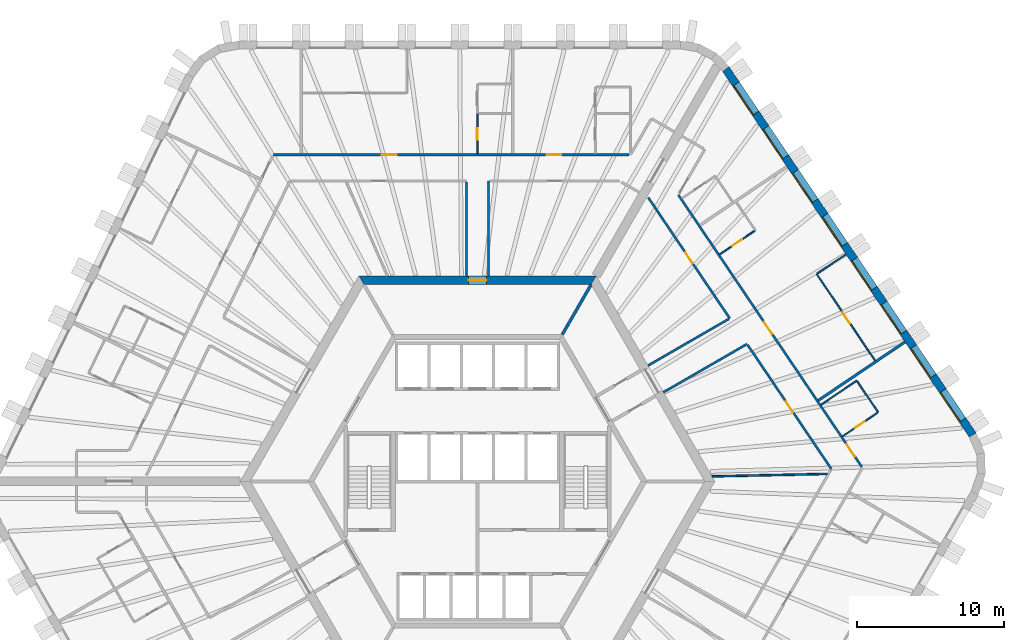
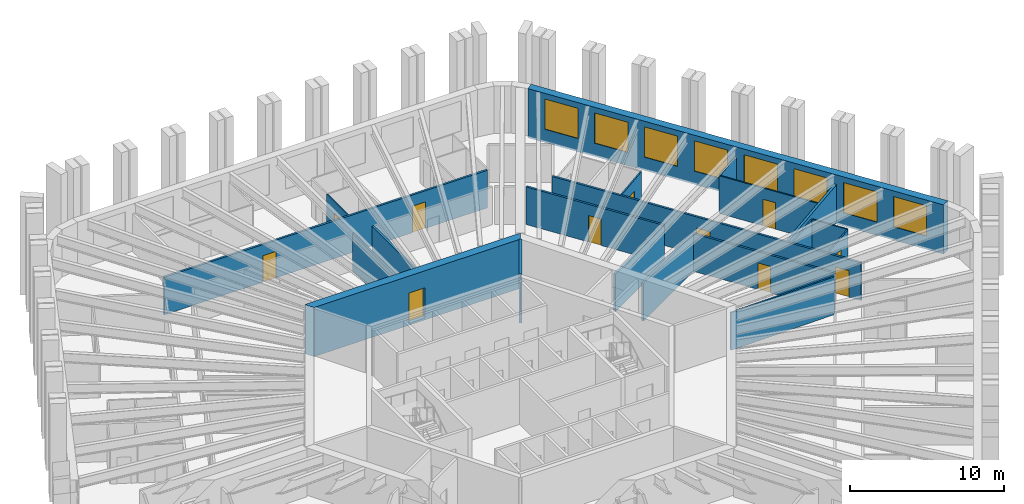
# One storey, part 9 of 13: 20 walls, 11 doors, 8 windows, 19 openings.
"""IFC4 building model written with IfcOpenShell, lengths in metres."""

from ifc_helpers import new_model, si_unit, direction, frame, frame_2d, origin, place, context, subcontext, project, spatial, polyline, rectangle, outline, extrude, material, layer, layer_set, type_object, element, fill, save


model = new_model("IFC4")

# Units and contexts
model_context = context("Model", 3, precision=1e-05, world=origin(), true_north=direction((0.0, 1.0)))
body_context = subcontext(model_context, "Body", "Model", "MODEL_VIEW")
ifc_project = project(units=[si_unit("LENGTHUNIT", "METRE"), si_unit("AREAUNIT", "SQUARE_METRE"), si_unit("VOLUMEUNIT", "CUBIC_METRE"), si_unit("PLANEANGLEUNIT", "RADIAN"), si_unit("MASSUNIT", "GRAM", prefix="KILO")], contexts=[model_context])

# Site, building, storey
site_placement = place(None, origin())
site = spatial("IfcSite", under=ifc_project, at=site_placement, CompositionType="ELEMENT")
building_placement = place(site_placement, origin())
building = spatial("IfcBuilding", under=site, at=building_placement, Name="Tarnside Tower", CompositionType="ELEMENT")
storey_placement = place(building_placement, frame((0.0, 0.0, 92.10009765625)))
storey = spatial("IfcBuildingStorey", under=building, at=storey_placement, Name="L20", CompositionType="ELEMENT", Elevation=92.10009765625)

# Wall, opening, door
ifc_material_1 = material(Name="Gypsum board partition on steel studs", Category="steel")
ifc_layer_1 = layer(ifc_material_1, 0.10009765625)
ifc_layer_set_1 = layer_set([ifc_layer_1], Name="Bathroom wall 100")
wall_type_1 = type_object("IfcWallType", Name="Bathroom wall 100", PredefinedType="PARTITIONING", material=ifc_layer_set_1)
wall_1_placement = place(storey_placement, frame((-0.010986328125, 22.324951171875, 0.0), z_axis=(0.0, 0.0, 1.0), x_axis=(0.0, 1.0, 0.0)))
wall_1 = element("IfcWall", 1, at=wall_1_placement, inside=storey, type_object=wall_type_1, Name="Bathroom wall 06085", PredefinedType="PARTITIONING", context=body_context, shape_type="SweptSolid", body=[
    extrude(rectangle(XDim=2.72509765625, YDim=0.10009765625, at=frame_2d((1.362548828125, 0.0))), origin(), (0.0, 0.0, 1.0), 2.98779296875),
])
opening_1_placement = place(wall_1_placement, frame((0.925048828125, 0.0, 0.0)))
opening_1 = element("IfcOpeningElement", 2, at=opening_1_placement, cuts=wall_1, Name="Opening D-B1", PredefinedType="OPENING", context=body_context, shape_type="SweptSolid", body=[
    extrude(rectangle(XDim=0.800048828125, YDim=2.10009765625, at=frame_2d((0.39990234375, 1.050048828125))), frame((0.0, 0.06005859375, 0.0), z_axis=(0.0, -1.0, 0.0), x_axis=(1.0, 0.0, 0.0)), (0.0, 0.0, 1.0), 0.1201171875),
])
ifc_material_2 = material(Name="Timber door leaf", Category="wood")
door_type_1 = type_object("IfcDoorType", Name="Bathroom door 800", OperationType="NOTDEFINED", PredefinedType="DOOR", material=ifc_material_2)
door_1_placement = place(opening_1_placement, origin())
door_1 = element("IfcDoor", 3, at=door_1_placement, inside=storey, type_object=door_type_1, Name="Bathroom door 06005", OperationType="SINGLE_SWING_RIGHT", OverallHeight=2.10009765625, OverallWidth=0.800048828125, PredefinedType="DOOR", context=body_context, shape_type="SweptSolid", body=[
    extrude(rectangle(XDim=0.800048828125, YDim=2.10009765625, at=frame_2d((0.39990234375, 1.050048828125))), frame((0.0, 0.02490234375, 0.0), z_axis=(0.0, -1.0, 0.0), x_axis=(1.0, 0.0, 0.0)), (0.0, 0.0, 1.0), 0.050048828125),
])
fill(opening_1, door_1)

# Walls
wall_2_placement = place(storey_placement, frame((23.407470703125, 5.220703125, 0.0), z_axis=(0.0, 0.0, 1.0), x_axis=(0.829007334469, 0.559237730663, 0.0)))
element("IfcWall", 4, at=wall_2_placement, inside=storey, type_object=wall_type_1, Name="Bathroom wall 06149", PredefinedType="PARTITIONING", context=body_context, shape_type="SweptSolid", body=[
    extrude(rectangle(XDim=2.925048828125, YDim=0.10009765625, at=frame_2d((1.46240234375, 0.0))), origin(), (0.0, 0.0, 1.0), 2.98779296875),
])
wall_3_placement = place(storey_placement, frame((25.8603515625, 6.81494140625, 0.0), z_axis=(0.0, 0.0, 1.0), x_axis=(0.559155442782, -0.829062838878, 0.0)))
element("IfcWall", 5, at=wall_3_placement, inside=storey, type_object=wall_type_1, Name="Bathroom wall 06150", PredefinedType="PARTITIONING", context=body_context, shape_type="SweptSolid", body=[
    extrude(rectangle(XDim=2.5498046875, YDim=0.10009765625, at=frame_2d((1.27490234375, 0.0))), origin(), (0.0, 0.0, 1.0), 2.98779296875),
])

# Wall, opening, door
wall_4_placement = place(storey_placement, frame((27.244873046875, 4.6728515625, 0.0), z_axis=(0.0, 0.0, 1.0), x_axis=(-0.82904649496, -0.559179675234, 0.0)))
wall_4 = element("IfcWall", 6, at=wall_4_placement, inside=storey, type_object=wall_type_1, Name="Bathroom wall 06151", PredefinedType="PARTITIONING", context=body_context, shape_type="SweptSolid", body=[
    extrude(rectangle(XDim=2.875, YDim=0.10009765625, at=frame_2d((1.4375, 0.0))), origin(), (0.0, 0.0, 1.0), 2.98779296875),
])
opening_2_placement = place(wall_4_placement, frame((1.050048828125, 0.0, 0.0)))
opening_2 = element("IfcOpeningElement", 7, at=opening_2_placement, cuts=wall_4, Name="Opening D-B1", PredefinedType="OPENING", context=body_context, shape_type="SweptSolid", body=[
    extrude(rectangle(XDim=0.800048828125, YDim=2.10009765625, at=frame_2d((0.39990234375, 1.050048828125))), frame((0.0, 0.06005859375, 0.0), z_axis=(0.0, -1.0, 0.0), x_axis=(1.0, 0.0, 0.0)), (0.0, 0.0, 1.0), 0.1201171875),
])
door_2_placement = place(opening_2_placement, origin())
door_2 = element("IfcDoor", 8, at=door_2_placement, inside=storey, type_object=door_type_1, Name="Bathroom door 06036", OperationType="SINGLE_SWING_LEFT", OverallHeight=2.10009765625, OverallWidth=0.800048828125, PredefinedType="DOOR", context=body_context, shape_type="SweptSolid", body=[
    extrude(rectangle(XDim=0.800048828125, YDim=2.10009765625, at=frame_2d((0.39990234375, 1.050048828125))), frame((0.0, 0.02490234375, 0.0), z_axis=(0.0, -1.0, 0.0), x_axis=(1.0, 0.0, 0.0)), (0.0, 0.0, 1.0), 0.050048828125),
])
fill(opening_2, door_2)

wall_5_placement = place(storey_placement, frame((18.884765625, 17.06689453125, 0.0), z_axis=(0.0, 0.0, 1.0), x_axis=(-0.829019940088, -0.55921904379, 0.0)))
wall_5 = element("IfcWall", 9, at=wall_5_placement, inside=storey, type_object=wall_type_1, Name="Bathroom wall 06155", PredefinedType="PARTITIONING", context=body_context, shape_type="SweptSolid", body=[
    extrude(rectangle(XDim=2.874755859375, YDim=0.10009765625, at=frame_2d((1.4375, 0.0))), origin(), (0.0, 0.0, 1.0), 2.98779296875),
])
opening_3_placement = place(wall_5_placement, frame((1.050048828125, 0.0, 0.0)))
opening_3 = element("IfcOpeningElement", 10, at=opening_3_placement, cuts=wall_5, Name="Opening D-B1", PredefinedType="OPENING", context=body_context, shape_type="SweptSolid", body=[
    extrude(rectangle(XDim=0.800048828125, YDim=2.10009765625, at=frame_2d((0.39990234375, 1.050048828125))), frame((0.0, 0.06005859375, 0.0), z_axis=(0.0, -1.0, 0.0), x_axis=(1.0, 0.0, 0.0)), (0.0, 0.0, 1.0), 0.1201171875),
])
door_3_placement = place(opening_3_placement, origin())
door_3 = element("IfcDoor", 11, at=door_3_placement, inside=storey, type_object=door_type_1, Name="Bathroom door 06038", OperationType="SINGLE_SWING_LEFT", OverallHeight=2.10009765625, OverallWidth=0.800048828125, PredefinedType="DOOR", context=body_context, shape_type="SweptSolid", body=[
    extrude(rectangle(XDim=0.800048828125, YDim=2.10009765625, at=frame_2d((0.39990234375, 1.050048828125))), frame((0.0, 0.02490234375, 0.0), z_axis=(0.0, -1.0, 0.0), x_axis=(1.0, 0.0, 0.0)), (0.0, 0.0, 1.0), 0.050048828125),
])
fill(opening_3, door_3)

ifc_material_3 = material(Name="Concrete C80/95", Category="concrete")
ifc_layer_2 = layer(ifc_material_3, 0.60009765625)
ifc_layer_set_2 = layer_set([ifc_layer_2], Name="Core wall Z1 600 C80/95")
wall_type_2 = type_object("IfcWallType", Name="Core wall Z1 600 C80/95", PredefinedType="SHEAR", material=ifc_layer_set_2)
wall_6_placement = place(storey_placement, frame((7.90966796875, 13.699951171875, -0.150146484375), z_axis=(0.0, 0.0, 1.0), x_axis=(-1.0, 0.0, 0.0)))
wall_6 = element("IfcWall", 12, at=wall_6_placement, inside=storey, type_object=wall_type_2, Name="L20 core wall face 1", PredefinedType="SHEAR", context=body_context, shape_type="SweptSolid", body=[
    extrude(outline(polyline([(-0.17333984375, -0.300048828125), (15.99267578125, -0.300048828125), (15.64599609375, 0.300048828125), (0.17333984375, 0.300048828125), (-0.17333984375, -0.300048828125)])), origin(), (0.0, 0.0, 1.0), 3.900146484375),
])
opening_4_placement = place(wall_6_placement, frame((7.309814453125, 0.0, 0.14990234375)))
opening_4 = element("IfcOpeningElement", 13, at=opening_4_placement, cuts=wall_6, Name="Opening CD-RSR", PredefinedType="OPENING", context=body_context, shape_type="SweptSolid", body=[
    extrude(rectangle(XDim=1.199951171875, YDim=2.39990234375, at=frame_2d((0.60009765625, 1.199951171875))), frame((0.0, 0.31005859375, 0.0), z_axis=(0.0, -1.0, 0.0), x_axis=(1.0, 0.0, 0.0)), (0.0, 0.0, 1.0), 0.6201171875),
])
ifc_material_4 = material(Name="Steel fire door", Category="steel")
door_type_2 = type_object("IfcDoorType", Name="Riser door FD60 1200x2400", OperationType="NOTDEFINED", PredefinedType="DOOR", material=ifc_material_4)
door_4_placement = place(opening_4_placement, origin())
door_4 = element("IfcDoor", 14, at=door_4_placement, inside=storey, type_object=door_type_2, Name="L20 core door S5", OperationType="SINGLE_SWING_LEFT", OverallHeight=2.39990234375, OverallWidth=1.199951171875, PredefinedType="DOOR", context=body_context, shape_type="SweptSolid", body=[
    extrude(rectangle(XDim=1.199951171875, YDim=2.39990234375, at=frame_2d((0.60009765625, 1.199951171875))), frame((0.0, 0.02490234375, 0.0), z_axis=(0.0, -1.0, 0.0), x_axis=(1.0, 0.0, 0.0)), (0.0, 0.0, 1.0), 0.050048828125),
])
fill(opening_4, door_4)

# Wall, openings, doors
ifc_layer_3 = layer(ifc_material_1, 0.14990234375)
ifc_layer_set_3 = layer_set([ifc_layer_3], Name="Corridor wall 150 EI 60")
wall_type_3 = type_object("IfcWallType", Name="Corridor wall 150 EI 60", PredefinedType="PARTITIONING", material=ifc_layer_set_3)
wall_7_placement = place(storey_placement, frame((10.33447265625, 22.25, 0.0), z_axis=(0.0, 0.0, 1.0), x_axis=(-1.0, 0.0, 0.0)))
wall_7 = element("IfcWall", 15, at=wall_7_placement, inside=storey, type_object=wall_type_3, Name="Corridor wall 06001", PredefinedType="PARTITIONING", context=body_context, shape_type="SweptSolid", body=[
    extrude(rectangle(XDim=24.23779296875, YDim=0.14990234375, at=frame_2d((12.118896484375, 0.0))), origin(), (0.0, 0.0, 1.0), 2.98779296875),
])
opening_5_placement = place(wall_7_placement, frame((4.62939453125, 0.0, 0.0)))
opening_5 = element("IfcOpeningElement", 16, at=opening_5_placement, cuts=wall_7, Name="Opening D-E1", PredefinedType="OPENING", context=body_context, shape_type="SweptSolid", body=[
    extrude(rectangle(XDim=1.0, YDim=2.10009765625, at=frame_2d((0.5, 1.050048828125))), frame((0.0, 0.0849609375, 0.0), z_axis=(0.0, -1.0, 0.0), x_axis=(1.0, 0.0, 0.0)), (0.0, 0.0, 1.0), 0.169921875),
])
opening_6_placement = place(wall_7_placement, frame((15.845703125, 0.0, 0.0)))
opening_6 = element("IfcOpeningElement", 17, at=opening_6_placement, cuts=wall_7, Name="Opening D-E1", PredefinedType="OPENING", context=body_context, shape_type="SweptSolid", body=[
    extrude(rectangle(XDim=1.0, YDim=2.10009765625, at=frame_2d((0.5, 1.050048828125))), frame((0.0, 0.0849609375, 0.0), z_axis=(0.0, -1.0, 0.0), x_axis=(1.0, 0.0, 0.0)), (0.0, 0.0, 1.0), 0.169921875),
])
door_type_3 = type_object("IfcDoorType", Name="Unit entrance door 1000 FD30S", OperationType="NOTDEFINED", PredefinedType="DOOR", material=ifc_material_2)
door_5_placement = place(opening_5_placement, origin())
door_5 = element("IfcDoor", 18, at=door_5_placement, inside=storey, type_object=door_type_3, Name="Unit door 06001", OperationType="SINGLE_SWING_LEFT", OverallHeight=2.10009765625, OverallWidth=1.0, PredefinedType="DOOR", context=body_context, shape_type="SweptSolid", body=[
    extrude(rectangle(XDim=1.0, YDim=2.10009765625, at=frame_2d((0.5, 1.050048828125))), frame((0.0, 0.02490234375, 0.0), z_axis=(0.0, -1.0, 0.0), x_axis=(1.0, 0.0, 0.0)), (0.0, 0.0, 1.0), 0.050048828125),
])
fill(opening_5, door_5)
door_6_placement = place(opening_6_placement, origin())
door_6 = element("IfcDoor", 19, at=door_6_placement, inside=storey, type_object=door_type_3, Name="Unit door 06004", OperationType="SINGLE_SWING_RIGHT", OverallHeight=2.10009765625, OverallWidth=1.0, PredefinedType="DOOR", context=body_context, shape_type="SweptSolid", body=[
    extrude(rectangle(XDim=1.0, YDim=2.10009765625, at=frame_2d((0.5, 1.050048828125))), frame((0.0, 0.02490234375, 0.0), z_axis=(0.0, -1.0, 0.0), x_axis=(1.0, 0.0, 0.0)), (0.0, 0.0, 1.0), 0.050048828125),
])
fill(opening_6, door_6)

# Walls
wall_8_placement = place(storey_placement, frame((-0.75, 20.375, 0.0), z_axis=(0.0, 0.0, 1.0), x_axis=(0.0, -1.0, 0.0)))
element("IfcWall", 20, at=wall_8_placement, inside=storey, type_object=wall_type_3, Name="Corridor wall 06016", PredefinedType="PARTITIONING", context=body_context, shape_type="SweptSolid", body=[
    extrude(rectangle(XDim=6.375, YDim=0.14990234375, at=frame_2d((3.1875, 0.0))), origin(), (0.0, 0.0, 1.0), 2.98779296875),
])
wall_9_placement = place(storey_placement, frame((0.75, 14.0, 0.0), z_axis=(0.0, 0.0, 1.0), x_axis=(0.0, 1.0, 0.0)))
element("IfcWall", 21, at=wall_9_placement, inside=storey, type_object=wall_type_3, Name="Corridor wall 06020", PredefinedType="PARTITIONING", context=body_context, shape_type="SweptSolid", body=[
    extrude(rectangle(XDim=6.449951171875, YDim=0.14990234375, at=frame_2d((3.22509765625, 0.0))), origin(), (0.0, 0.0, 1.0), 2.98779296875),
])

# Wall, openings, doors
wall_10_placement = place(storey_placement, frame((26.174072265625, 0.98486328125, 0.0), z_axis=(0.0, 0.0, 1.0), x_axis=(-0.559199676409, 0.82903300411, 0.0)))
wall_10 = element("IfcWall", 22, at=wall_10_placement, inside=storey, type_object=wall_type_3, Name="Corridor wall 06056", PredefinedType="PARTITIONING", context=body_context, shape_type="SweptSolid", body=[
    extrude(rectangle(XDim=22.33544921875, YDim=0.14990234375, at=frame_2d((11.167724609375, 0.0))), origin(), (0.0, 0.0, 1.0), 2.98779296875),
])
opening_7_placement = place(wall_10_placement, frame((0.86279296875, 0.0, 0.0)))
opening_7 = element("IfcOpeningElement", 23, at=opening_7_placement, cuts=wall_10, Name="Opening D-E1", PredefinedType="OPENING", context=body_context, shape_type="SweptSolid", body=[
    extrude(rectangle(XDim=1.0, YDim=2.10009765625, at=frame_2d((0.5, 1.050048828125))), frame((0.0, 0.0849609375, 0.0), z_axis=(0.0, -1.0, 0.0), x_axis=(1.0, 0.0, 0.0)), (0.0, 0.0, 1.0), 0.169921875),
])
opening_8_placement = place(wall_10_placement, frame((10.90869140625, 0.0, 0.0)))
opening_8 = element("IfcOpeningElement", 24, at=opening_8_placement, cuts=wall_10, Name="Opening D-E1", PredefinedType="OPENING", context=body_context, shape_type="SweptSolid", body=[
    extrude(rectangle(XDim=1.0, YDim=2.10009765625, at=frame_2d((0.5, 1.050048828125))), frame((0.0, 0.0849609375, 0.0), z_axis=(0.0, -1.0, 0.0), x_axis=(1.0, 0.0, 0.0)), (0.0, 0.0, 1.0), 0.169921875),
])
door_7_placement = place(opening_7_placement, origin())
door_7 = element("IfcDoor", 25, at=door_7_placement, inside=storey, type_object=door_type_3, Name="Unit door 06035", OperationType="SINGLE_SWING_RIGHT", OverallHeight=2.10009765625, OverallWidth=1.0, PredefinedType="DOOR", context=body_context, shape_type="SweptSolid", body=[
    extrude(rectangle(XDim=1.0, YDim=2.10009765625, at=frame_2d((0.5, 1.050048828125))), frame((0.0, 0.02490234375, 0.0), z_axis=(0.0, -1.0, 0.0), x_axis=(1.0, 0.0, 0.0)), (0.0, 0.0, 1.0), 0.050048828125),
])
fill(opening_7, door_7)
door_8_placement = place(opening_8_placement, origin())
door_8 = element("IfcDoor", 26, at=door_8_placement, inside=storey, type_object=door_type_3, Name="Unit door 06037", OperationType="SINGLE_SWING_RIGHT", OverallHeight=2.10009765625, OverallWidth=1.0, PredefinedType="DOOR", context=body_context, shape_type="SweptSolid", body=[
    extrude(rectangle(XDim=1.0, YDim=2.10009765625, at=frame_2d((0.5, 1.050048828125))), frame((0.0, 0.02490234375, 0.0), z_axis=(0.0, -1.0, 0.0), x_axis=(1.0, 0.0, 0.0)), (0.0, 0.0, 1.0), 0.050048828125),
])
fill(opening_8, door_8)

# Wall
wall_11_placement = place(storey_placement, frame((12.663818359375, 6.065673828125, 0.0), z_axis=(0.0, 0.0, 1.0), x_axis=(0.866027295802, 0.499996722915, 0.0)))
element("IfcWall", 27, at=wall_11_placement, inside=storey, type_object=wall_type_3, Name="Corridor wall 06068", PredefinedType="PARTITIONING", context=body_context, shape_type="SweptSolid", body=[
    extrude(rectangle(XDim=6.5751953125, YDim=0.14990234375, at=frame_2d((3.28759765625, 0.0))), origin(), (0.0, 0.0, 1.0), 2.98779296875),
])

# Wall, opening, door
wall_12_placement = place(storey_placement, frame((18.400390625, 9.291015625, 0.0), z_axis=(0.0, 0.0, 1.0), x_axis=(0.559191829043, -0.829038297265, 0.0)))
wall_12 = element("IfcWall", 28, at=wall_12_placement, inside=storey, type_object=wall_type_3, Name="Corridor wall 06069", PredefinedType="PARTITIONING", context=body_context, shape_type="SweptSolid", body=[
    extrude(rectangle(XDim=10.19189453125, YDim=0.14990234375, at=frame_2d((5.095947265625, 0.0))), origin(), (0.0, 0.0, 1.0), 2.98779296875),
])
opening_9_placement = place(wall_12_placement, frame((4.64599609375, 0.0, 0.0)))
opening_9 = element("IfcOpeningElement", 29, at=opening_9_placement, cuts=wall_12, Name="Opening D-S1", PredefinedType="OPENING", context=body_context, shape_type="SweptSolid", body=[
    extrude(rectangle(XDim=0.89990234375, YDim=2.10009765625, at=frame_2d((0.449951171875, 1.050048828125))), frame((0.0, 0.0849609375, 0.0), z_axis=(0.0, -1.0, 0.0), x_axis=(1.0, 0.0, 0.0)), (0.0, 0.0, 1.0), 0.169921875),
])
door_type_4 = type_object("IfcDoorType", Name="Service room door 900 FD30S", OperationType="NOTDEFINED", PredefinedType="DOOR", material=ifc_material_2)
door_9_placement = place(opening_9_placement, origin())
door_9 = element("IfcDoor", 30, at=door_9_placement, inside=storey, type_object=door_type_4, Name="Service door 06051", OperationType="SINGLE_SWING_RIGHT", OverallHeight=2.10009765625, OverallWidth=0.89990234375, PredefinedType="DOOR", context=body_context, shape_type="SweptSolid", body=[
    extrude(rectangle(XDim=0.89990234375, YDim=2.10009765625, at=frame_2d((0.449951171875, 1.050048828125))), frame((0.0, 0.02490234375, 0.0), z_axis=(0.0, -1.0, 0.0), x_axis=(1.0, 0.0, 0.0)), (0.0, 0.0, 1.0), 0.050048828125),
])
fill(opening_9, door_9)

wall_13_placement = place(storey_placement, frame((11.631591796875, 19.326171875, 0.0), z_axis=(0.0, 0.0, 1.0), x_axis=(0.559193968377, -0.829036854266, 0.0)))
wall_13 = element("IfcWall", 31, at=wall_13_placement, inside=storey, type_object=wall_type_3, Name="Corridor wall 06074", PredefinedType="PARTITIONING", context=body_context, shape_type="SweptSolid", body=[
    extrude(rectangle(XDim=9.92431640625, YDim=0.14990234375, at=frame_2d((4.962158203125, 0.0))), origin(), (0.0, 0.0, 1.0), 2.98779296875),
])
opening_10_placement = place(wall_13_placement, frame((4.51220703125, 0.0, 0.0)))
opening_10 = element("IfcOpeningElement", 32, at=opening_10_placement, cuts=wall_13, Name="Opening D-S1", PredefinedType="OPENING", context=body_context, shape_type="SweptSolid", body=[
    extrude(rectangle(XDim=0.89990234375, YDim=2.10009765625, at=frame_2d((0.449951171875, 1.050048828125))), frame((0.0, 0.0849609375, 0.0), z_axis=(0.0, -1.0, 0.0), x_axis=(1.0, 0.0, 0.0)), (0.0, 0.0, 1.0), 0.169921875),
])
door_10_placement = place(opening_10_placement, origin())
door_10 = element("IfcDoor", 33, at=door_10_placement, inside=storey, type_object=door_type_4, Name="Service door 06053", OperationType="SINGLE_SWING_LEFT", OverallHeight=2.10009765625, OverallWidth=0.89990234375, PredefinedType="DOOR", context=body_context, shape_type="SweptSolid", body=[
    extrude(rectangle(XDim=0.89990234375, YDim=2.10009765625, at=frame_2d((0.449951171875, 1.050048828125))), frame((0.0, 0.02490234375, 0.0), z_axis=(0.0, -1.0, 0.0), x_axis=(1.0, 0.0, 0.0)), (0.0, 0.0, 1.0), 0.050048828125),
])
fill(opening_10, door_10)

# Walls
wall_14_placement = place(storey_placement, frame((17.115966796875, 11.06103515625, 0.0), z_axis=(0.0, 0.0, 1.0), x_axis=(-0.866021127751, -0.500007406234, 0.0)))
element("IfcWall", 34, at=wall_14_placement, inside=storey, type_object=wall_type_3, Name="Corridor wall 06075", PredefinedType="PARTITIONING", context=body_context, shape_type="SweptSolid", body=[
    extrude(rectangle(XDim=6.353515625, YDim=0.14990234375, at=frame_2d((3.1767578125, 0.0))), origin(), (0.0, 0.0, 1.0), 2.98779296875),
])
ifc_layer_4 = layer(ifc_material_1, 0.179931640625)
ifc_layer_set_4 = layer_set([ifc_layer_4], Name="Demising wall 180 EI 60")
wall_type_4 = type_object("IfcWallType", Name="Demising wall 180 EI 60", PredefinedType="PARTITIONING", material=ifc_layer_set_4)
wall_15_placement = place(storey_placement, frame((29.11865234375, 9.4951171875, 0.0), z_axis=(0.0, 0.0, 1.0), x_axis=(-0.82903334026, -0.559199178055, 0.0)))
element("IfcWall", 35, at=wall_15_placement, inside=storey, type_object=wall_type_4, Name="Demising wall 06152", PredefinedType="PARTITIONING", context=body_context, shape_type="SweptSolid", body=[
    extrude(rectangle(XDim=7.125244140625, YDim=0.179931640625, at=frame_2d((3.5625, 0.0))), origin(), (0.0, 0.0, 1.0), 2.98779296875),
])
ifc_material_5 = material(Name="Concrete C40/50", Category="concrete")
ifc_layer_5 = layer(ifc_material_5, 0.199951171875)
ifc_layer_set_5 = layer_set([ifc_layer_5], Name="Lift shaft wall 200 C40/50")
wall_type_5 = type_object("IfcWallType", Name="Lift shaft wall 200 C40/50", PredefinedType="SHEAR", material=ifc_layer_set_5)
wall_16_placement = place(storey_placement, frame((5.7734375, 10.0, -0.150146484375), z_axis=(0.0, 0.0, 1.0), x_axis=(0.500038251005, 0.86600331843, 0.0)))
element("IfcWall", 36, at=wall_16_placement, inside=storey, type_object=wall_type_5, Name="L20 core partition AR60", PredefinedType="SHEAR", context=body_context, shape_type="SweptSolid", body=[
    extrude(rectangle(XDim=3.926025390625, YDim=0.199951171875, at=frame_2d((1.962890625, 0.0))), origin(), (0.0, 0.0, 1.0), 3.900146484375),
])

# Wall, opening, door
ifc_layer_6 = layer(ifc_material_1, 0.10009765625)
ifc_layer_set_6 = layer_set([ifc_layer_6], Name="Partition 100")
wall_type_6 = type_object("IfcWallType", Name="Partition 100", PredefinedType="PARTITIONING", material=ifc_layer_set_6)
wall_17_placement = place(storey_placement, frame((27.07861328125, 8.227783203125, 0.0), z_axis=(0.0, 0.0, 1.0), x_axis=(-0.559200948469, 0.829032146078, 0.0)))
wall_17 = element("IfcWall", 37, at=wall_17_placement, inside=storey, type_object=wall_type_6, Name="Partition wall 06156", PredefinedType="PARTITIONING", context=body_context, shape_type="SweptSolid", body=[
    extrude(rectangle(XDim=7.10986328125, YDim=0.10009765625, at=frame_2d((3.554931640625, 0.0))), origin(), (0.0, 0.0, 1.0), 2.98779296875),
])
opening_11_placement = place(wall_17_placement, frame((3.06005859375, 0.0, 0.0)))
opening_11 = element("IfcOpeningElement", 38, at=opening_11_placement, cuts=wall_17, Name="Opening D-I1", PredefinedType="OPENING", context=body_context, shape_type="SweptSolid", body=[
    extrude(rectangle(XDim=0.89990234375, YDim=2.10009765625, at=frame_2d((0.449951171875, 1.050048828125))), frame((0.0, 0.06005859375, 0.0), z_axis=(0.0, -1.0, 0.0), x_axis=(1.0, 0.0, 0.0)), (0.0, 0.0, 1.0), 0.1201171875),
])
door_type_5 = type_object("IfcDoorType", Name="Internal door 900", OperationType="NOTDEFINED", PredefinedType="DOOR", material=ifc_material_2)
door_11_placement = place(opening_11_placement, origin())
door_11 = element("IfcDoor", 39, at=door_11_placement, inside=storey, type_object=door_type_5, Name="Internal door 06039", OperationType="SINGLE_SWING_RIGHT", OverallHeight=2.10009765625, OverallWidth=0.89990234375, PredefinedType="DOOR", context=body_context, shape_type="SweptSolid", body=[
    extrude(rectangle(XDim=0.89990234375, YDim=2.10009765625, at=frame_2d((0.449951171875, 1.050048828125))), frame((0.0, 0.02490234375, 0.0), z_axis=(0.0, -1.0, 0.0), x_axis=(1.0, 0.0, 0.0)), (0.0, 0.0, 1.0), 0.050048828125),
])
fill(opening_11, door_11)

# Walls
wall_18_placement = place(storey_placement, frame((23.14404296875, 14.150146484375, 0.0), z_axis=(0.0, 0.0, 1.0), x_axis=(0.829065408555, 0.559151632687, 0.0)))
element("IfcWall", 40, at=wall_18_placement, inside=storey, type_object=wall_type_6, Name="Partition wall 06157", PredefinedType="PARTITIONING", context=body_context, shape_type="SweptSolid", body=[
    extrude(rectangle(XDim=2.349853515625, YDim=0.10009765625, at=frame_2d((1.1748046875, 0.0))), origin(), (0.0, 0.0, 1.0), 2.98779296875),
])
ifc_layer_7 = layer(ifc_material_1, 0.1201171875)
ifc_layer_set_7 = layer_set([ifc_layer_7], Name="Service room wall 120 EI 60")
wall_type_7 = type_object("IfcWallType", Name="Service room wall 120 EI 60", PredefinedType="PARTITIONING", material=ifc_layer_set_7)
wall_19_placement = place(storey_placement, frame((23.81787109375, 0.50390625, 0.0), z_axis=(0.0, 0.0, 1.0), x_axis=(-0.999776284395, -0.021151386765, 0.0)))
element("IfcWall", 41, at=wall_19_placement, inside=storey, type_object=wall_type_7, Name="Service wall 06165", PredefinedType="PARTITIONING", context=body_context, shape_type="SweptSolid", body=[
    extrude(rectangle(XDim=7.848876953125, YDim=0.1201171875, at=frame_2d((3.92431640625, 0.0))), origin(), (0.0, 0.0, 1.0), 2.98779296875),
])

# Wall, openings, windows
ifc_material_6 = material(Name="Facing brick", Category="masonry")
ifc_layer_8 = layer(ifc_material_6, 0.10205078125)
ifc_material_7 = material(Name="Concrete C60/75 precast", Category="concrete")
ifc_layer_9 = layer(ifc_material_7, 0.347900390625)
ifc_material_8 = material(Name="Mineral wool insulation")
ifc_layer_10 = layer(ifc_material_8, 0.10009765625)
ifc_layer_set_8 = layer_set([ifc_layer_8, ifc_layer_9, ifc_layer_10], Name="Tube wall 550 brick faced")
wall_type_8 = type_object("IfcWallType", Name="Tube wall 550 brick faced", PredefinedType="SOLIDWALL", material=ifc_layer_set_8)
wall_20_placement = place(storey_placement, frame((33.72802734375, 3.153076171875, -0.150146484375), z_axis=(0.0, 0.0, 1.0), x_axis=(-0.559192411416, 0.82903790445, 0.0)))
wall_20 = element("IfcWall", 42, at=wall_20_placement, inside=storey, type_object=wall_type_8, Name="Tube wall L20 F6 flush 20", PredefinedType="SOLIDWALL", context=body_context, shape_type="SweptSolid", body=[
    extrude(outline(polyline([(-0.025634765625, -0.27490234375), (30.09326171875, -0.27490234375), (30.04833984375, 0.27490234375), (0.025634765625, 0.27490234375), (-0.025634765625, -0.27490234375)])), origin(), (0.0, 0.0, 1.0), 3.900146484375),
])
opening_12_placement = place(wall_20_placement, frame((1.235595703125, 0.0, 1.050048828125)))
opening_12 = element("IfcOpeningElement", 43, at=opening_12_placement, cuts=wall_20, Name="Opening WH", PredefinedType="OPENING", context=body_context, shape_type="SweptSolid", body=[
    extrude(rectangle(XDim=2.39990234375, YDim=2.39990234375, at=frame_2d((1.199951171875, 1.199951171875))), frame((0.0, 0.28515625, 0.0), z_axis=(0.0, -1.0, 0.0), x_axis=(1.0, 0.0, 0.0)), (0.0, 0.0, 1.0), 0.570068359375),
])
opening_13_placement = place(wall_20_placement, frame((4.83544921875, 0.0, 1.050048828125)))
opening_13 = element("IfcOpeningElement", 44, at=opening_13_placement, cuts=wall_20, Name="Opening WH", PredefinedType="OPENING", context=body_context, shape_type="SweptSolid", body=[
    extrude(rectangle(XDim=2.39990234375, YDim=2.39990234375, at=frame_2d((1.199951171875, 1.199951171875))), frame((0.0, 0.28515625, 0.0), z_axis=(0.0, -1.0, 0.0), x_axis=(1.0, 0.0, 0.0)), (0.0, 0.0, 1.0), 0.570068359375),
])
opening_14_placement = place(wall_20_placement, frame((8.435546875, 0.0, 1.050048828125)))
opening_14 = element("IfcOpeningElement", 45, at=opening_14_placement, cuts=wall_20, Name="Opening WH", PredefinedType="OPENING", context=body_context, shape_type="SweptSolid", body=[
    extrude(rectangle(XDim=2.39990234375, YDim=2.39990234375, at=frame_2d((1.199951171875, 1.199951171875))), frame((0.0, 0.28515625, 0.0), z_axis=(0.0, -1.0, 0.0), x_axis=(1.0, 0.0, 0.0)), (0.0, 0.0, 1.0), 0.570068359375),
])
opening_15_placement = place(wall_20_placement, frame((12.035400390625, 0.0, 1.050048828125)))
opening_15 = element("IfcOpeningElement", 46, at=opening_15_placement, cuts=wall_20, Name="Opening WH", PredefinedType="OPENING", context=body_context, shape_type="SweptSolid", body=[
    extrude(rectangle(XDim=2.39990234375, YDim=2.39990234375, at=frame_2d((1.199951171875, 1.199951171875))), frame((0.0, 0.28515625, 0.0), z_axis=(0.0, -1.0, 0.0), x_axis=(1.0, 0.0, 0.0)), (0.0, 0.0, 1.0), 0.570068359375),
])
opening_16_placement = place(wall_20_placement, frame((15.635498046875, 0.0, 1.050048828125)))
opening_16 = element("IfcOpeningElement", 47, at=opening_16_placement, cuts=wall_20, Name="Opening WH", PredefinedType="OPENING", context=body_context, shape_type="SweptSolid", body=[
    extrude(rectangle(XDim=2.39990234375, YDim=2.39990234375, at=frame_2d((1.199951171875, 1.199951171875))), frame((0.0, 0.28515625, 0.0), z_axis=(0.0, -1.0, 0.0), x_axis=(1.0, 0.0, 0.0)), (0.0, 0.0, 1.0), 0.570068359375),
])
opening_17_placement = place(wall_20_placement, frame((19.235595703125, 0.0, 1.050048828125)))
opening_17 = element("IfcOpeningElement", 48, at=opening_17_placement, cuts=wall_20, Name="Opening WH", PredefinedType="OPENING", context=body_context, shape_type="SweptSolid", body=[
    extrude(rectangle(XDim=2.39990234375, YDim=2.39990234375, at=frame_2d((1.199951171875, 1.199951171875))), frame((0.0, 0.28515625, 0.0), z_axis=(0.0, -1.0, 0.0), x_axis=(1.0, 0.0, 0.0)), (0.0, 0.0, 1.0), 0.570068359375),
])
opening_18_placement = place(wall_20_placement, frame((22.83544921875, 0.0, 1.050048828125)))
opening_18 = element("IfcOpeningElement", 49, at=opening_18_placement, cuts=wall_20, Name="Opening WH", PredefinedType="OPENING", context=body_context, shape_type="SweptSolid", body=[
    extrude(rectangle(XDim=2.39990234375, YDim=2.39990234375, at=frame_2d((1.199951171875, 1.199951171875))), frame((0.0, 0.28515625, 0.0), z_axis=(0.0, -1.0, 0.0), x_axis=(1.0, 0.0, 0.0)), (0.0, 0.0, 1.0), 0.570068359375),
])
opening_19_placement = place(wall_20_placement, frame((26.435546875, 0.0, 1.050048828125)))
opening_19 = element("IfcOpeningElement", 50, at=opening_19_placement, cuts=wall_20, Name="Opening WH", PredefinedType="OPENING", context=body_context, shape_type="SweptSolid", body=[
    extrude(rectangle(XDim=2.39990234375, YDim=2.39990234375, at=frame_2d((1.199951171875, 1.199951171875))), frame((0.0, 0.28515625, 0.0), z_axis=(0.0, -1.0, 0.0), x_axis=(1.0, 0.0, 0.0)), (0.0, 0.0, 1.0), 0.570068359375),
])
ifc_material_9 = material(Name="Aluminium-framed double glazing", Category="aluminium")
window_type = type_object("IfcWindowType", Name="Hotel window 2400 x 2400", PartitioningType="DOUBLE_PANEL_VERTICAL", PredefinedType="WINDOW", material=ifc_material_9)
window_1_placement = place(opening_12_placement, frame((0.0, 0.205078125, 0.0)))
window_1 = element("IfcWindow", 51, at=window_1_placement, inside=storey, type_object=window_type, Name="E.WN.L20.F6.00", OverallHeight=2.39990234375, OverallWidth=2.39990234375, PartitioningType="DOUBLE_PANEL_VERTICAL", PredefinedType="WINDOW", context=body_context, shape_type="SweptSolid", body=[
    extrude(rectangle(XDim=2.39990234375, YDim=2.39990234375, at=frame_2d((1.199951171875, 1.199951171875))), frame((0.0, 0.030029296875, 0.0), z_axis=(0.0, -1.0, 0.0), x_axis=(1.0, 0.0, 0.0)), (0.0, 0.0, 1.0), 0.06005859375),
])
fill(opening_12, window_1)
window_2_placement = place(opening_13_placement, frame((0.0, 0.205078125, 0.0)))
window_2 = element("IfcWindow", 52, at=window_2_placement, inside=storey, type_object=window_type, Name="E.WN.L20.F6.01", OverallHeight=2.39990234375, OverallWidth=2.39990234375, PartitioningType="DOUBLE_PANEL_VERTICAL", PredefinedType="WINDOW", context=body_context, shape_type="SweptSolid", body=[
    extrude(rectangle(XDim=2.39990234375, YDim=2.39990234375, at=frame_2d((1.199951171875, 1.199951171875))), frame((0.0, 0.030029296875, 0.0), z_axis=(0.0, -1.0, 0.0), x_axis=(1.0, 0.0, 0.0)), (0.0, 0.0, 1.0), 0.06005859375),
])
fill(opening_13, window_2)
window_3_placement = place(opening_14_placement, frame((0.0, 0.205078125, 0.0)))
window_3 = element("IfcWindow", 53, at=window_3_placement, inside=storey, type_object=window_type, Name="E.WN.L20.F6.02", OverallHeight=2.39990234375, OverallWidth=2.39990234375, PartitioningType="DOUBLE_PANEL_VERTICAL", PredefinedType="WINDOW", context=body_context, shape_type="SweptSolid", body=[
    extrude(rectangle(XDim=2.39990234375, YDim=2.39990234375, at=frame_2d((1.199951171875, 1.199951171875))), frame((0.0, 0.030029296875, 0.0), z_axis=(0.0, -1.0, 0.0), x_axis=(1.0, 0.0, 0.0)), (0.0, 0.0, 1.0), 0.06005859375),
])
fill(opening_14, window_3)
window_4_placement = place(opening_15_placement, frame((0.0, 0.205078125, 0.0)))
window_4 = element("IfcWindow", 54, at=window_4_placement, inside=storey, type_object=window_type, Name="E.WN.L20.F6.03", OverallHeight=2.39990234375, OverallWidth=2.39990234375, PartitioningType="DOUBLE_PANEL_VERTICAL", PredefinedType="WINDOW", context=body_context, shape_type="SweptSolid", body=[
    extrude(rectangle(XDim=2.39990234375, YDim=2.39990234375, at=frame_2d((1.199951171875, 1.199951171875))), frame((0.0, 0.030029296875, 0.0), z_axis=(0.0, -1.0, 0.0), x_axis=(1.0, 0.0, 0.0)), (0.0, 0.0, 1.0), 0.06005859375),
])
fill(opening_15, window_4)
window_5_placement = place(opening_16_placement, frame((0.0, 0.205078125, 0.0)))
window_5 = element("IfcWindow", 55, at=window_5_placement, inside=storey, type_object=window_type, Name="E.WN.L20.F6.04", OverallHeight=2.39990234375, OverallWidth=2.39990234375, PartitioningType="DOUBLE_PANEL_VERTICAL", PredefinedType="WINDOW", context=body_context, shape_type="SweptSolid", body=[
    extrude(rectangle(XDim=2.39990234375, YDim=2.39990234375, at=frame_2d((1.199951171875, 1.199951171875))), frame((0.0, 0.030029296875, 0.0), z_axis=(0.0, -1.0, 0.0), x_axis=(1.0, 0.0, 0.0)), (0.0, 0.0, 1.0), 0.06005859375),
])
fill(opening_16, window_5)
window_6_placement = place(opening_17_placement, frame((0.0, 0.205078125, 0.0)))
window_6 = element("IfcWindow", 56, at=window_6_placement, inside=storey, type_object=window_type, Name="E.WN.L20.F6.05", OverallHeight=2.39990234375, OverallWidth=2.39990234375, PartitioningType="DOUBLE_PANEL_VERTICAL", PredefinedType="WINDOW", context=body_context, shape_type="SweptSolid", body=[
    extrude(rectangle(XDim=2.39990234375, YDim=2.39990234375, at=frame_2d((1.199951171875, 1.199951171875))), frame((0.0, 0.030029296875, 0.0), z_axis=(0.0, -1.0, 0.0), x_axis=(1.0, 0.0, 0.0)), (0.0, 0.0, 1.0), 0.06005859375),
])
fill(opening_17, window_6)
window_7_placement = place(opening_18_placement, frame((0.0, 0.205078125, 0.0)))
window_7 = element("IfcWindow", 57, at=window_7_placement, inside=storey, type_object=window_type, Name="E.WN.L20.F6.06", OverallHeight=2.39990234375, OverallWidth=2.39990234375, PartitioningType="DOUBLE_PANEL_VERTICAL", PredefinedType="WINDOW", context=body_context, shape_type="SweptSolid", body=[
    extrude(rectangle(XDim=2.39990234375, YDim=2.39990234375, at=frame_2d((1.199951171875, 1.199951171875))), frame((0.0, 0.030029296875, 0.0), z_axis=(0.0, -1.0, 0.0), x_axis=(1.0, 0.0, 0.0)), (0.0, 0.0, 1.0), 0.06005859375),
])
fill(opening_18, window_7)
window_8_placement = place(opening_19_placement, frame((0.0, 0.205078125, 0.0)))
window_8 = element("IfcWindow", 58, at=window_8_placement, inside=storey, type_object=window_type, Name="E.WN.L20.F6.07", OverallHeight=2.39990234375, OverallWidth=2.39990234375, PartitioningType="DOUBLE_PANEL_VERTICAL", PredefinedType="WINDOW", context=body_context, shape_type="SweptSolid", body=[
    extrude(rectangle(XDim=2.39990234375, YDim=2.39990234375, at=frame_2d((1.199951171875, 1.199951171875))), frame((0.0, 0.030029296875, 0.0), z_axis=(0.0, -1.0, 0.0), x_axis=(1.0, 0.0, 0.0)), (0.0, 0.0, 1.0), 0.06005859375),
])
fill(opening_19, window_8)

save(model, "model.ifc")
